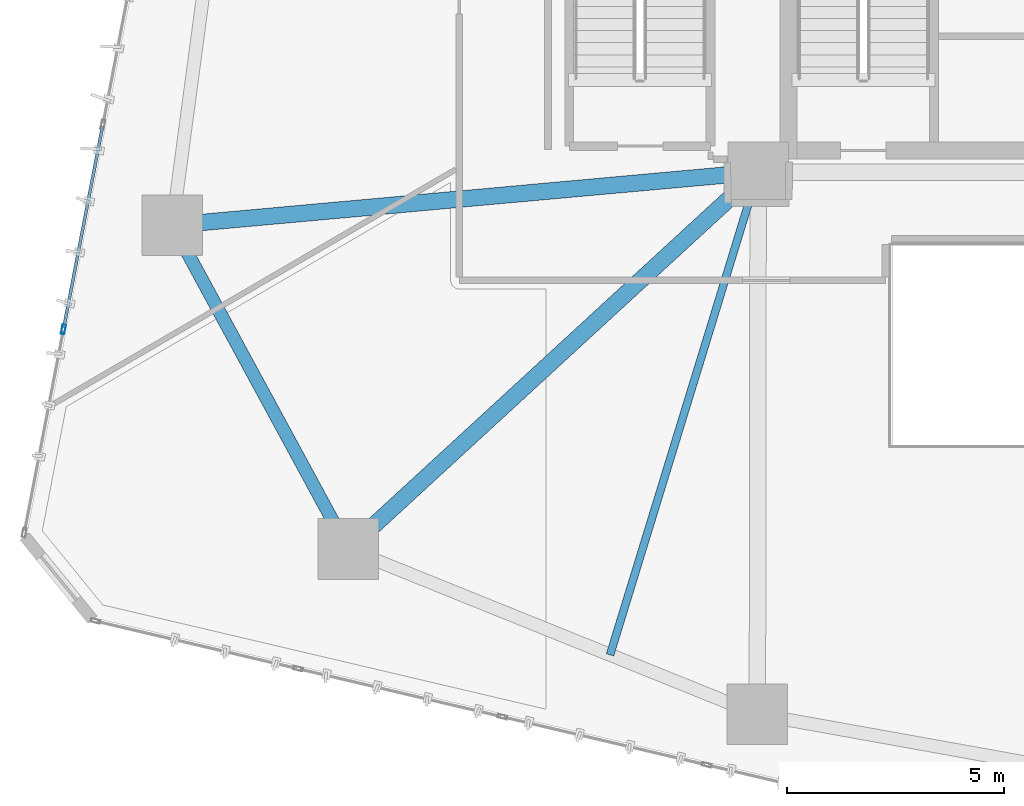
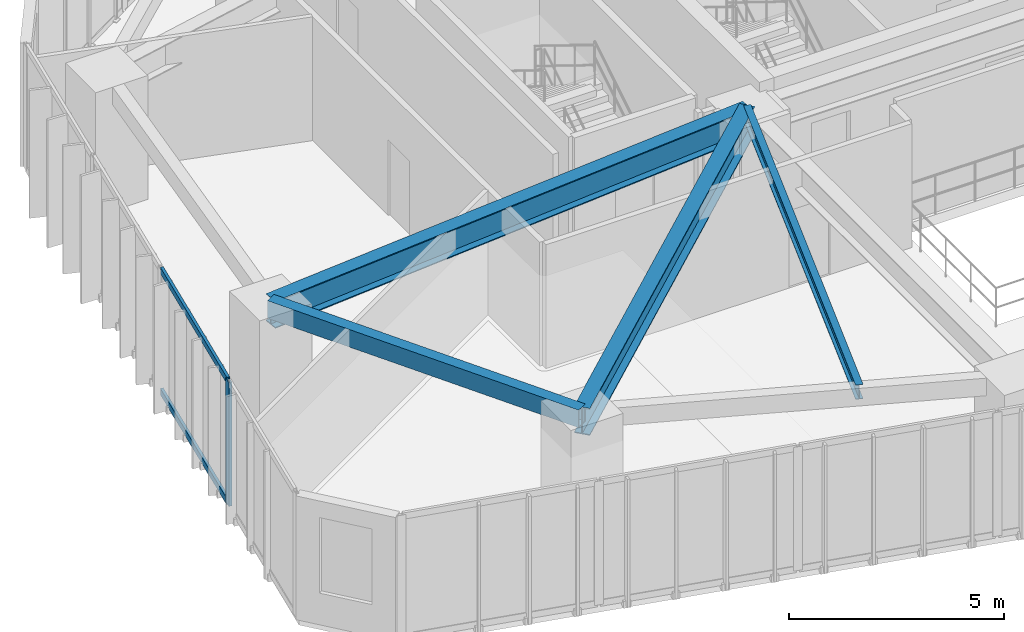
# One storey, part 3 of 23: 4 beams, 3 members, 1 element without a shape of its own.
"""IFC4 building model written with IfcOpenShell, lengths in metres."""

import ifcopenshell
import ifcopenshell.guid

model = None  # the IFC model being written
_history = None  # IfcOwnerHistory: only IFC2X3 demands one
_inside = {}  # id of a spatial element -> (the spatial element, [elements in it])
_under = {}  # id of a project, library or spatial element -> (it, [spatial elements below it])
_declared = {}  # id of a project -> (the project, [libraries it declares])
_typed = {}  # id of a type object -> (the type object, [elements of that type])
_made_of = {}  # id of a material, layer set ... -> (it, [elements and type objects made of it])


def new_model(schema):
    """Start an empty IFC model of exactly this schema.

    Asked for "IFC4X3", IfcOpenShell would pick the latest addendum, in which some entities
    have other attributes; the version numbers below select the first issue.
    IFC2X3 requires an IfcOwnerHistory on every rooted entity: one is made here for all.
    """
    global model, _history
    if schema == "IFC4X3":
        model = ifcopenshell.file(schema_version=(4, 3, 0, 0))
    else:
        model = ifcopenshell.file(schema=schema)
    _inside.clear()
    _under.clear()
    _declared.clear()
    _typed.clear()
    _made_of.clear()
    _history = None
    if model.schema == "IFC2X3":
        org = make("IfcOrganization", Name="unknown")
        user = make(
            "IfcPersonAndOrganization",
            ThePerson=make("IfcPerson", FamilyName="unknown"),
            TheOrganization=org,
        )
        app = make(
            "IfcApplication",
            ApplicationDeveloper=org,
            Version="unknown",
            ApplicationFullName="unknown",
            ApplicationIdentifier="unknown",
        )
        _history = make(
            "IfcOwnerHistory",
            OwningUser=user,
            OwningApplication=app,
            ChangeAction="ADDED",
            CreationDate=0,
        )
    return model


def make(cls, **values):
    """One entity of the class cls with the attributes given. An attribute that is None is left unset."""
    return model.create_entity(
        cls, **{name: value for name, value in values.items() if value is not None}
    )


def rooted(cls, **values):
    """An entity with a GlobalId (a new one), such as an element, a storey or a relation."""
    return make(cls, GlobalId=ifcopenshell.guid.new(), OwnerHistory=_history, **values)


def si_unit(unit_type, name, prefix=None):
    """IfcSIUnit, for example si_unit("LENGTHUNIT", "METRE", prefix="MILLI")."""
    return make("IfcSIUnit", UnitType=unit_type, Prefix=prefix, Name=name)


def assignment(units):
    """IfcUnitAssignment: the units of a project."""
    return None if units is None else make("IfcUnitAssignment", Units=units)


def point(xyz):
    """IfcCartesianPoint."""
    return None if xyz is None else make("IfcCartesianPoint", Coordinates=xyz)


def direction(xyz):
    """IfcDirection."""
    return None if xyz is None else make("IfcDirection", DirectionRatios=xyz)


def frame(location, z_axis=None, x_axis=None):
    """IfcAxis2Placement3D, a coordinate frame: its origin and axes. An axis left out is left unset."""
    return make(
        "IfcAxis2Placement3D",
        Location=point(location),
        Axis=direction(z_axis),
        RefDirection=direction(x_axis),
    )


def frame_2d(location, x_axis=None):
    """IfcAxis2Placement2D, a coordinate frame in the plane: its origin and x axis."""
    return make(
        "IfcAxis2Placement2D", Location=point(location), RefDirection=direction(x_axis)
    )


def origin():
    """The frame at (0, 0, 0) with its axes left unset."""
    return frame((0.0, 0.0, 0.0))


def origin_2d():
    """The frame at (0, 0) in the plane with its x axis left unset."""
    return frame_2d((0.0, 0.0))


def place(relative_to, where):
    """IfcLocalPlacement: puts the frame where relative to a parent placement (None: the world)."""
    return make(
        "IfcLocalPlacement", PlacementRelTo=relative_to, RelativePlacement=where
    )


def context(
    kind, dimensions, precision=None, world=None, true_north=None, identifier=None
):
    """IfcGeometricRepresentationContext, for example the 3D "Model" context."""
    return make(
        "IfcGeometricRepresentationContext",
        ContextIdentifier=identifier,
        ContextType=kind,
        CoordinateSpaceDimension=dimensions,
        Precision=precision,
        WorldCoordinateSystem=world,
        TrueNorth=true_north,
    )


def subcontext(parent, identifier, kind, view, scale=None):
    """IfcGeometricRepresentationSubContext, for example "Body" below "Model"."""
    return make(
        "IfcGeometricRepresentationSubContext",
        ContextIdentifier=identifier,
        ContextType=kind,
        ParentContext=parent,
        TargetScale=scale,
        TargetView=view,
    )


def project(units=None, contexts=None):
    """IfcProject with its units and contexts."""
    return rooted(
        "IfcProject",
        Name="project",
        RepresentationContexts=contexts,
        UnitsInContext=assignment(units),
    )


def spatial(cls, under=None, at=None, **own):
    """A site, building, storey or space (cls), placed at a placement, below another one or the project."""
    s = rooted(cls, ObjectPlacement=at, **own)
    if under is not None:
        _under.setdefault(under.id(), (under, []))[1].append(s)
    return s


def profile(cls, at=None, kind="AREA", **sizes):
    """A parametric profile (cls). Its sizes go by their IFC names, for example OverallWidth=200.0."""
    return make(cls, ProfileType=kind, Position=at, **sizes)


def hollow_rectangle(**sizes):
    """IfcRectangleHollowProfileDef."""
    return profile("IfcRectangleHollowProfileDef", **sizes)


def i_section(**sizes):
    """IfcIShapeProfileDef."""
    return profile("IfcIShapeProfileDef", **sizes)


def extrude(swept, where, along, depth):
    """IfcExtrudedAreaSolid: the profile swept, set in the frame where, extruded along a direction by depth."""
    return make(
        "IfcExtrudedAreaSolid",
        SweptArea=swept,
        Position=where,
        ExtrudedDirection=direction(along),
        Depth=depth,
    )


def shape(context_of_items, identifier, shape_type, items):
    """IfcShapeRepresentation: the items that make up one representation, for example the "Body"."""
    return make(
        "IfcShapeRepresentation",
        ContextOfItems=context_of_items,
        RepresentationIdentifier=identifier,
        RepresentationType=shape_type,
        Items=items,
    )


def source(mapping_origin, context_of_items, identifier, shape_type, items):
    """IfcRepresentationMap: a shape defined once, which mapped items show again and again."""
    return make(
        "IfcRepresentationMap",
        MappingOrigin=mapping_origin,
        MappedRepresentation=shape(context_of_items, identifier, shape_type, items),
    )


def transform(
    local_origin,
    x_axis=None,
    y_axis=None,
    z_axis=None,
    scale=None,
    scale2=None,
    scale3=None,
    uniform=True,
):
    """IfcCartesianTransformationOperator3D, or its non-uniform kind. x_axis, y_axis, z_axis: its Axis1, 2, 3."""
    if uniform:
        return make(
            "IfcCartesianTransformationOperator3D",
            Axis1=direction(x_axis),
            Axis2=direction(y_axis),
            LocalOrigin=point(local_origin),
            Scale=scale,
            Axis3=direction(z_axis),
        )
    return make(
        "IfcCartesianTransformationOperator3DnonUniform",
        Axis1=direction(x_axis),
        Axis2=direction(y_axis),
        LocalOrigin=point(local_origin),
        Scale=scale,
        Axis3=direction(z_axis),
        Scale2=scale2,
        Scale3=scale3,
    )


def mapped(mapping_source, mapping_target):
    """IfcMappedItem: shows the shape of a source again, moved by a transform."""
    return make(
        "IfcMappedItem", MappingSource=mapping_source, MappingTarget=mapping_target
    )


def material(Name=None, Category=None):
    """IfcMaterial."""
    return make("IfcMaterial", Name=Name, Category=Category)


def layer(
    of_material, thickness, ventilated=None, Name=None, Category=None, Priority=None
):
    """IfcMaterialLayer: one layer of a wall or slab, of a material (None: an air gap)."""
    return make(
        "IfcMaterialLayer",
        Material=of_material,
        LayerThickness=thickness,
        IsVentilated=ventilated,
        Name=Name,
        Category=Category,
        Priority=Priority,
    )


def layer_set(layers, Name=None):
    """IfcMaterialLayerSet."""
    return make("IfcMaterialLayerSet", MaterialLayers=layers, LayerSetName=Name)


def material_profile(
    of_material, cross_section, Name=None, Category=None, Priority=None
):
    """IfcMaterialProfile: a cross section and its material."""
    return make(
        "IfcMaterialProfile",
        Name=Name,
        Material=of_material,
        Profile=cross_section,
        Priority=Priority,
        Category=Category,
    )


def profile_set(profiles, Name=None, composite=None):
    """IfcMaterialProfileSet."""
    return make(
        "IfcMaterialProfileSet",
        Name=Name,
        MaterialProfiles=profiles,
        CompositeProfile=composite,
    )


def made_of(thing, what):
    """Note that an element or type object is made of a material, layer set ...; save() writes the relation."""
    if what is not None:
        _made_of.setdefault(what.id(), (what, []))[1].append(thing)
    return thing


def type_object(cls, material=None, **own):
    """A type object (cls), such as IfcWallType, which elements share."""
    return made_of(rooted(cls, **own), material)


def type_shapes(of_type, sources):
    """Give a type object the sources (RepresentationMaps) that its elements show as mapped items."""
    of_type.RepresentationMaps = sources


def element(
    cls,
    number,
    at=None,
    inside=None,
    cuts=None,
    type_object=None,
    material=None,
    context=None,
    identifier="Body",
    shape_type=None,
    held_by="IfcProductDefinitionShape",
    body=None,
    shapes=None,
    **own,
):
    """One element of the class cls, such as IfcWall. Its Tag is "e" and its number.

    at: its placement. inside: the storey or other place that contains it. cuts: it is an
    opening in that element (IfcRelVoidsElement). A single representation is given by context,
    identifier, shape_type and body (its items); several are given by shapes. held_by: the class
    of the entity that holds the representations. save() writes the other relations.
    """
    e = rooted(cls, Tag="e%d" % number, ObjectPlacement=at, **own)
    if body is not None:
        shapes = [shape(context, identifier, shape_type, body)]
    if shapes is not None:
        e.Representation = make(held_by, Representations=shapes)
    if inside is not None:
        _inside.setdefault(inside.id(), (inside, []))[1].append(e)
    if cuts is not None:
        rooted(
            "IfcRelVoidsElement", RelatingBuildingElement=cuts, RelatedOpeningElement=e
        )
    if type_object is not None:
        _typed.setdefault(type_object.id(), (type_object, []))[1].append(e)
    return made_of(e, material)


def aggregate(whole, parts):
    """IfcRelAggregates: a whole, such as a stair, and the parts it consists of."""
    return rooted("IfcRelAggregates", RelatingObject=whole, RelatedObjects=parts)


def save(model, path):
    """Write the relations noted so far, then the file.

    IfcRelAggregates (storeys below a building ...), IfcRelContainedInSpatialStructure (elements
    in a storey), IfcRelDefinesByType, IfcRelAssociatesMaterial and IfcRelDeclares: one each for
    every whole, place, type object, material and project.
    """
    for whole, parts in _under.values():
        aggregate(whole, parts)
    for where, things in _inside.values():
        rooted(
            "IfcRelContainedInSpatialStructure",
            RelatedElements=things,
            RelatingStructure=where,
        )
    for kind, things in _typed.values():
        rooted("IfcRelDefinesByType", RelatedObjects=things, RelatingType=kind)
    for what, things in _made_of.values():
        rooted("IfcRelAssociatesMaterial", RelatedObjects=things, RelatingMaterial=what)
    for by, libraries in _declared.values():
        rooted("IfcRelDeclares", RelatingContext=by, RelatedDefinitions=libraries)
    model.write(path)


model = new_model("IFC4")

# Units and contexts
model_context = context("Model", 3, precision=1e-05, world=origin(), true_north=direction((0.0, 1.0)))
body_context = subcontext(model_context, "Body", "Model", "MODEL_VIEW")
ifc_project = project(units=[si_unit("LENGTHUNIT", "METRE"), si_unit("AREAUNIT", "SQUARE_METRE"), si_unit("VOLUMEUNIT", "CUBIC_METRE"), si_unit("PLANEANGLEUNIT", "RADIAN"), si_unit("MASSUNIT", "GRAM", prefix="KILO")], contexts=[model_context])

# Site, building, storey
site_placement = place(None, origin())
site = spatial("IfcSite", under=ifc_project, at=site_placement, CompositionType="ELEMENT")
building_placement = place(site_placement, origin())
building = spatial("IfcBuilding", under=site, at=building_placement, Name="Talar Marvaseh", CompositionType="ELEMENT")
storey_placement = place(building_placement, frame((0.0, 0.0, 50.60009765625)))
storey = spatial("IfcBuildingStorey", under=building, at=storey_placement, Name="L12", CompositionType="ELEMENT", Elevation=50.60009765625)

# Beams
ifc_material_1 = material(Name="Steel S355", Category="steel")
ifc_material_profile_1 = material_profile(ifc_material_1, hollow_rectangle(XDim=0.300048828125, YDim=0.5, WallThickness=0.02001953125, at=origin_2d()), Name="RHS500x300x20")
ifc_profile_set_1 = profile_set([ifc_material_profile_1], Name="Steel S355")
beam_type_1 = type_object("IfcBeamType", Name="Zone 1 Perimeter Spandrel Beam RHS500x300x20", PredefinedType="SPANDREL", material=ifc_profile_set_1)
beam_1_placement = place(storey_placement, frame((9.23193359375, 16.7958984375, 3.27001953125), z_axis=(-0.476758155578, 0.879034505062, 0.0), x_axis=(-0.879034505062, -0.476758155578, 0.0)))
element("IfcBeam", 1, at=beam_1_placement, inside=storey, type_object=beam_type_1, Name="L12 Zone 1 Perimeter Spandrel Beam RHS500x300x20", PredefinedType="SPANDREL", context=body_context, shape_type="SweptSolid", body=[
    extrude(hollow_rectangle(XDim=0.300048828125, YDim=0.5, WallThickness=0.02001953125, at=origin_2d()), origin(), (0.0, 0.0, 1.0), 8.50927734375),
])
ifc_material_profile_2 = material_profile(ifc_material_1, i_section(OverallWidth=0.381103515625, OverallDepth=0.77294921875, WebThickness=0.0166015625, FlangeThickness=0.027099609375, at=origin_2d()), Name="W760x257")
ifc_profile_set_2 = profile_set([ifc_material_profile_2], Name="Steel S355")
beam_type_2 = type_object("IfcBeamType", Name="Zone 1 Radial Floor Girder W760x257", PredefinedType="BEAM", material=ifc_profile_set_2)
beam_2_placement = place(storey_placement, frame((9.23193359375, 16.7958984375, 3.13330078125), z_axis=(0.736181804049, 0.676783829142, 0.0), x_axis=(-0.676783829142, 0.736181804049, 0.0)))
element("IfcBeam", 2, at=beam_2_placement, inside=storey, type_object=beam_type_2, Name="L12 Zone 1 Radial Floor Girder W760x257", PredefinedType="BEAM", context=body_context, shape_type="SweptSolid", body=[
    extrude(i_section(OverallWidth=0.381103515625, OverallDepth=0.77294921875, WebThickness=0.0166015625, FlangeThickness=0.027099609375, at=origin_2d()), origin(), (0.0, 0.0, 1.0), 12.861083984375),
])
beam_3_placement = place(storey_placement, frame((5.175048828125, 24.27587890625, 3.13330078125), z_axis=(0.995929083348, 0.090140229321, 0.0), x_axis=(-0.090140229321, 0.995929083348, 0.0)))
element("IfcBeam", 3, at=beam_3_placement, inside=storey, type_object=beam_type_2, Name="L12 Zone 1 Radial Floor Girder W760x257", PredefinedType="BEAM", context=body_context, shape_type="SweptSolid", body=[
    extrude(i_section(OverallWidth=0.381103515625, OverallDepth=0.77294921875, WebThickness=0.0166015625, FlangeThickness=0.027099609375, at=origin_2d()), origin(), (0.0, 0.0, 1.0), 13.580078125),
])
ifc_material_profile_3 = material_profile(ifc_material_1, i_section(OverallWidth=0.179931640625, OverallDepth=0.4130859375, WebThickness=0.009765625, FlangeThickness=0.01611328125, at=origin_2d()), Name="W410x75")
ifc_profile_set_3 = profile_set([ifc_material_profile_3], Name="Steel S355")
beam_type_3 = type_object("IfcBeamType", Name="Zone 1 Secondary Floor Joist W410x75", PredefinedType="JOIST", material=ifc_profile_set_3)
beam_4_placement = place(storey_placement, frame((15.280517578125, 14.35302734375, 3.3134765625), z_axis=(0.293270595159, 0.956029475495, 0.0), x_axis=(-0.956029475495, 0.293270595159, 0.0)))
element("IfcBeam", 4, at=beam_4_placement, inside=storey, type_object=beam_type_3, Name="L12 Zone 1 Secondary Floor Joist W410x75", PredefinedType="JOIST", context=body_context, shape_type="SweptSolid", body=[
    extrude(i_section(OverallWidth=0.179931640625, OverallDepth=0.4130859375, WebThickness=0.009765625, FlangeThickness=0.01611328125, at=origin_2d()), origin(), (0.0, 0.0, 1.0), 11.65966796875),
])

# Curtain wall, members
ifc_material_2 = material(Name="Architectural Aluminium", Category="aluminium")
ifc_layer = layer(ifc_material_2, 0.219970703125)
ifc_layer_set = layer_set([ifc_layer], Name="Architectural Aluminium")
curtain_wall_type = type_object("IfcCurtainWallType", Name="Unitised Low-E Museum Curtain Wall Z1", PredefinedType="NOTDEFINED", material=ifc_layer_set)
curtain_wall_placement = place(storey_placement, origin())
curtain_wall = element("IfcCurtainWall", 5, at=curtain_wall_placement, inside=storey, type_object=curtain_wall_type, Name="L12 Unitised Low-E Museum Curtain Wall Z1", PredefinedType="NOTDEFINED")
ifc_material_profile_4 = material_profile(ifc_material_2, hollow_rectangle(XDim=0.080078125, YDim=0.219970703125, WallThickness=0.0048828125, at=origin_2d()), Name="RHS220x80x5")
ifc_profile_set_4 = profile_set([ifc_material_profile_4], Name="Architectural Aluminium")
member_type_1 = type_object("IfcMemberType", Name="Unitised Curtain Wall Heavy Mullion RHS220x80x5", PredefinedType="MULLION", material=ifc_profile_set_4)
shared_shape_1 = source(origin(), body_context, "Body", "SweptSolid", [
    extrude(hollow_rectangle(XDim=0.080078125, YDim=0.219970703125, WallThickness=0.0048828125, at=origin_2d()), origin(), (0.0, 0.0, 1.0), 3.52001953125),
])
type_shapes(member_type_1, [shared_shape_1])
member_1_placement = place(storey_placement, frame((2.65869140625, 21.867919921875, 0.0), z_axis=(0.0, 0.0, 1.0), x_axis=(-0.981945681466, 0.189163100658, 0.0)))
member_1 = element("IfcMember", 6, at=member_1_placement, type_object=member_type_1, Name="CW-Z1 mullion 2", PredefinedType="MULLION", context=body_context, shape_type="MappedRepresentation", body=[
    mapped(shared_shape_1, transform((0.0, 0.0, 0.0), x_axis=(1.0, 0.0, 0.0), y_axis=(0.0, 1.0, 0.0), z_axis=(0.0, 0.0, 1.0), scale=1.0)),
])
ifc_material_profile_5 = material_profile(ifc_material_2, hollow_rectangle(XDim=0.074951171875, YDim=0.179931640625, WallThickness=0.0048828125, at=origin_2d()), Name="RHS180x75x5")
ifc_profile_set_5 = profile_set([ifc_material_profile_5], Name="Architectural Aluminium")
member_type_2 = type_object("IfcMemberType", Name="Unitised Curtain Wall Transom RHS180x75x5", PredefinedType="USERDEFINED", material=ifc_profile_set_5)
shared_shape_2 = source(origin(), body_context, "Body", "SweptSolid", [
    extrude(hollow_rectangle(XDim=0.074951171875, YDim=0.179931640625, WallThickness=0.0048828125, at=origin_2d()), origin(), (0.0, 0.0, 1.0), 4.736328125),
])
type_shapes(member_type_2, [shared_shape_2])
member_2_placement = place(storey_placement, frame((2.666259765625, 21.9072265625, 0.037353515625), z_axis=(0.189172392724, 0.981943891386, 0.0), x_axis=(-0.981943891386, 0.189172392724, 0.0)))
member_2 = element("IfcMember", 7, at=member_2_placement, type_object=member_type_2, Name="CW-Z1 transom 2.1", ObjectType="TRANSOM", PredefinedType="USERDEFINED", context=body_context, shape_type="MappedRepresentation", body=[
    mapped(shared_shape_2, transform((0.0, 0.0, 0.0), x_axis=(1.0, 0.0, 0.0), y_axis=(0.0, 1.0, 0.0), z_axis=(0.0, 0.0, 1.0), scale=1.0)),
])
member_3_placement = place(storey_placement, frame((2.666259765625, 21.9072265625, 3.482421875), z_axis=(0.189172392724, 0.981943891386, 0.0), x_axis=(-0.981943891386, 0.189172392724, 0.0)))
member_3 = element("IfcMember", 8, at=member_3_placement, type_object=member_type_2, Name="CW-Z1 transom 2.2", ObjectType="TRANSOM", PredefinedType="USERDEFINED", context=body_context, shape_type="MappedRepresentation", body=[
    mapped(shared_shape_2, transform((0.0, 0.0, 0.0), x_axis=(1.0, 0.0, 0.0), y_axis=(0.0, 1.0, 0.0), z_axis=(0.0, 0.0, 1.0), scale=1.0)),
])
aggregate(curtain_wall, [member_1, member_2, member_3])

save(model, "model.ifc")
